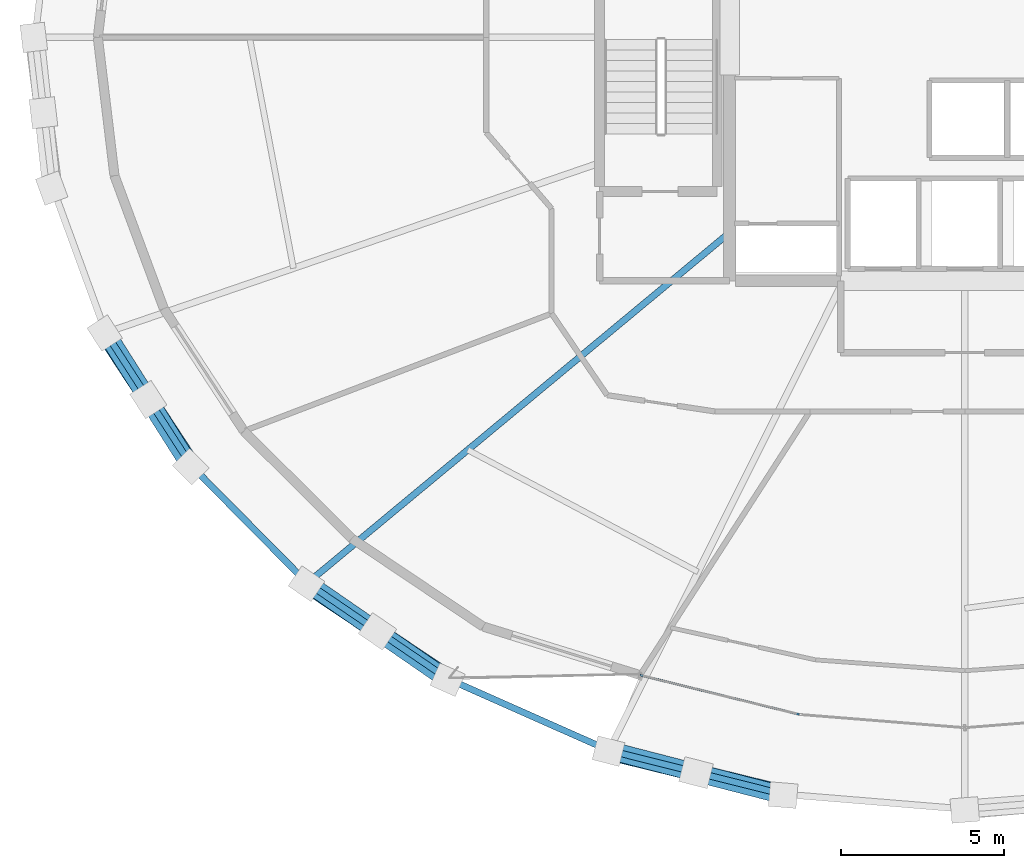
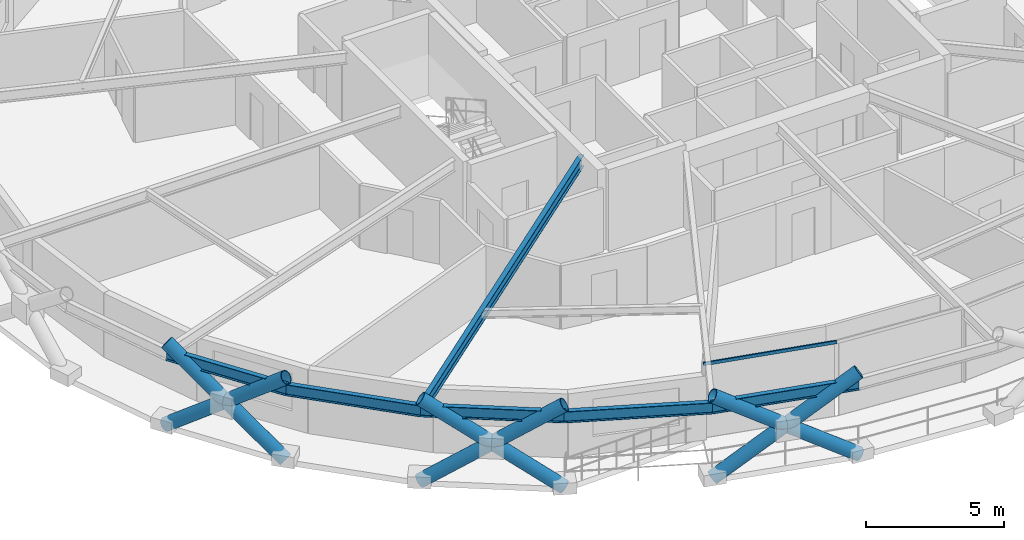
# One storey, part 1 of 21: 10 members, 6 beams, 1 element without a shape of its own.
"""IFC4 building model written with IfcOpenShell, lengths in metres."""

from ifc_helpers import new_model, si_unit, direction, frame, origin, origin_2d, place, context, subcontext, project, spatial, hollow_rectangle, hollow_circle, i_section, extrude, material, layer, layer_set, material_profile, profile_set, type_object, element, aggregate, save


model = new_model("IFC4")

# Units and contexts
model_context = context("Model", 3, precision=1e-05, world=origin(), true_north=direction((0.0, 1.0)))
body_context = subcontext(model_context, "Body", "Model", "MODEL_VIEW")
ifc_project = project(units=[si_unit("LENGTHUNIT", "METRE"), si_unit("AREAUNIT", "SQUARE_METRE"), si_unit("VOLUMEUNIT", "CUBIC_METRE"), si_unit("PLANEANGLEUNIT", "RADIAN"), si_unit("MASSUNIT", "GRAM", prefix="KILO")], contexts=[model_context])

# Site, building, storey
site_placement = place(None, origin())
site = spatial("IfcSite", under=ifc_project, at=site_placement, CompositionType="ELEMENT")
building_placement = place(site_placement, origin())
building = spatial("IfcBuilding", under=site, at=building_placement, Name="Veldorina Hangang Commons", CompositionType="ELEMENT")
storey_placement = place(building_placement, frame((0.0, 0.0, 135.199951171875)))
storey = spatial("IfcBuildingStorey", under=building, at=storey_placement, Name="L34", CompositionType="ELEMENT", Elevation=135.199951171875)

# Beams
ifc_material_1 = material(Name="Steel SM420-TMC", Category="steel")
ifc_material_profile_1 = material_profile(ifc_material_1, i_section(OverallWidth=0.199951171875, OverallDepth=0.5, WebThickness=0.010009765625, FlangeThickness=0.01611328125, FilletRadius=0.01611328125, at=origin_2d()), Name="H-500x200x10x16")
ifc_profile_set_1 = profile_set([ifc_material_profile_1], Name="Steel SM420-TMC")
beam_type_1 = type_object("IfcBeamType", Name="BM-FG500", PredefinedType="BEAM", material=ifc_profile_set_1)
beam_1_placement = place(storey_placement, frame((24.800048828125, 18.024169921875, 3.10009765625), z_axis=(-0.769484803772, -0.638665120986, 0.0), x_axis=(0.638665120986, -0.769484803772, 0.0)))
element("IfcBeam", 1, at=beam_1_placement, inside=storey, type_object=beam_type_1, Name="L34 radial floor girder 11", PredefinedType="BEAM", context=body_context, shape_type="SweptSolid", body=[
    extrude(i_section(OverallWidth=0.199951171875, OverallDepth=0.5, WebThickness=0.010009765625, FlangeThickness=0.01611328125, FilletRadius=0.01611328125, at=origin_2d()), origin(), (0.0, 0.0, 1.0), 16.7998046875),
])
ifc_material_profile_2 = material_profile(ifc_material_1, i_section(OverallWidth=0.199951171875, OverallDepth=0.5, WebThickness=0.010009765625, FlangeThickness=0.01611328125, FilletRadius=0.01611328125, at=origin_2d()), Name="H-500x200x10x16")
ifc_profile_set_2 = profile_set([ifc_material_profile_2], Name="Steel SM420-TMC")
beam_type_2 = type_object("IfcBeamType", Name="BM-RB500", PredefinedType="BEAM", material=ifc_profile_set_2)
beam_2_placement = place(storey_placement, frame((5.702392578125, 14.958984375, 3.10009765625), z_axis=(0.541455905961, -0.840729148953, 0.0), x_axis=(0.840729148953, 0.541455905961, 0.0)))
element("IfcBeam", 2, at=beam_2_placement, inside=storey, type_object=beam_type_2, Name="L34 perimeter hoop ring beam 18", PredefinedType="BEAM", context=body_context, shape_type="SweptSolid", body=[
    extrude(i_section(OverallWidth=0.199951171875, OverallDepth=0.5, WebThickness=0.010009765625, FlangeThickness=0.01611328125, FilletRadius=0.01611328125, at=origin_2d()), origin(), (0.0, 0.0, 1.0), 4.85791015625),
])
beam_3_placement = place(storey_placement, frame((8.332763671875, 10.874755859375, 3.10009765625), z_axis=(0.703119340183, -0.711071862375, 0.0), x_axis=(0.711071862375, 0.703119340183, 0.0)))
element("IfcBeam", 3, at=beam_3_placement, inside=storey, type_object=beam_type_2, Name="L34 perimeter hoop ring beam 19", PredefinedType="BEAM", context=body_context, shape_type="SweptSolid", body=[
    extrude(i_section(OverallWidth=0.199951171875, OverallDepth=0.5, WebThickness=0.010009765625, FlangeThickness=0.01611328125, FilletRadius=0.01611328125, at=origin_2d()), origin(), (0.0, 0.0, 1.0), 5.03466796875),
])
beam_4_placement = place(storey_placement, frame((11.872802734375, 7.294677734375, 3.10009765625), z_axis=(0.826459852108, -0.562995659711, 0.0), x_axis=(0.562995659711, 0.826459852108, 0.0)))
element("IfcBeam", 4, at=beam_4_placement, inside=storey, type_object=beam_type_2, Name="L34 perimeter hoop ring beam 20", PredefinedType="BEAM", context=body_context, shape_type="SweptSolid", body=[
    extrude(i_section(OverallWidth=0.199951171875, OverallDepth=0.5, WebThickness=0.010009765625, FlangeThickness=0.01611328125, FilletRadius=0.01611328125, at=origin_2d()), origin(), (0.0, 0.0, 1.0), 5.218994140625),
])
beam_5_placement = place(storey_placement, frame((16.18603515625, 4.3564453125, 3.10009765625), z_axis=(0.914091837503, -0.405507228802, 0.0), x_axis=(0.405507228802, 0.914091837503, 0.0)))
element("IfcBeam", 5, at=beam_5_placement, inside=storey, type_object=beam_type_2, Name="L34 perimeter hoop ring beam 21", PredefinedType="BEAM", context=body_context, shape_type="SweptSolid", body=[
    extrude(i_section(OverallWidth=0.199951171875, OverallDepth=0.5, WebThickness=0.010009765625, FlangeThickness=0.01611328125, FilletRadius=0.01611328125, at=origin_2d()), origin(), (0.0, 0.0, 1.0), 5.383544921875),
])
beam_6_placement = place(storey_placement, frame((21.107177734375, 2.17333984375, 3.10009765625), z_axis=(0.969744776856, -0.244121010487, 0.0), x_axis=(0.244121010487, 0.969744776856, 0.0)))
element("IfcBeam", 6, at=beam_6_placement, inside=storey, type_object=beam_type_2, Name="L34 perimeter hoop ring beam 22", PredefinedType="BEAM", context=body_context, shape_type="SweptSolid", body=[
    extrude(i_section(OverallWidth=0.199951171875, OverallDepth=0.5, WebThickness=0.010009765625, FlangeThickness=0.01611328125, FilletRadius=0.01611328125, at=origin_2d()), origin(), (0.0, 0.0, 1.0), 5.50634765625),
])

# Curtain wall, member
ifc_material_2 = material(Name="Glass Low-E Triple IGU", Category="glass")
ifc_layer = layer(ifc_material_2, 0.179931640625)
ifc_layer_set = layer_set([ifc_layer], Name="Glass Low-E Triple IGU")
curtain_wall_type = type_object("IfcCurtainWallType", Name="CW-SYS-Z2", PredefinedType="NOTDEFINED", material=ifc_layer_set)
curtain_wall_placement = place(storey_placement, origin())
curtain_wall = element("IfcCurtainWall", 7, at=curtain_wall_placement, inside=storey, type_object=curtain_wall_type, Name="L34 unitised curtain wall CW-L34-R1", PredefinedType="NOTDEFINED")
ifc_material_3 = material(Name="Aluminium Anodized AA6063-T6", Category="aluminium")
ifc_material_profile_3 = material_profile(ifc_material_3, hollow_rectangle(XDim=0.06005859375, YDim=0.139892578125, WallThickness=0.00341796875, at=origin_2d()), Name="ALU-RHS-140x60x3.5")
ifc_profile_set_3 = profile_set([ifc_material_profile_3], Name="Aluminium Anodized AA6063-T6")
member_type_1 = type_object("IfcMemberType", Name="CW-TRN-140", PredefinedType="USERDEFINED", material=ifc_profile_set_3)
member_1_placement = place(storey_placement, frame((22.057373046875, 4.4775390625, 3.27001953125), z_axis=(0.970893026024, -0.239513532016, 0.0), x_axis=(0.239513532016, 0.970893026024, 0.0)))
member_1 = element("IfcMember", 8, at=member_1_placement, type_object=member_type_1, Name="CW-L34-R1 facet 1 transom 1", ObjectType="TRANSOM", PredefinedType="USERDEFINED", context=body_context, shape_type="SweptSolid", body=[
    extrude(hollow_rectangle(XDim=0.06005859375, YDim=0.139892578125, WallThickness=0.00341796875, at=origin_2d()), origin(), (0.0, 0.0, 1.0), 5.020263671875),
])
aggregate(curtain_wall, [member_1])

# Members
ifc_material_profile_4 = material_profile(ifc_material_1, hollow_circle(Radius=0.27490234375, WallThickness=0.028076171875, at=origin_2d()), Name="CHS-550x28")
ifc_profile_set_4 = profile_set([ifc_material_profile_4], Name="Steel SM420-TMC")
member_type_2 = type_object("IfcMemberType", Name="DG-CHS550", PredefinedType="BRACE", material=ifc_profile_set_4)
member_2_placement = place(storey_placement, frame((5.668212890625, 14.94921875, 0.0), z_axis=(0.440855337186, -0.672470692662, 0.594499570383), x_axis=(0.836306551947, 0.548262119037, 0.0)))
element("IfcMember", 9, at=member_2_placement, inside=storey, type_object=member_type_2, Name="L34 continuous perimeter diagrid brace 18", PredefinedType="BRACE", context=body_context, shape_type="SweptSolid", body=[
    extrude(hollow_circle(Radius=0.27490234375, WallThickness=0.028076171875, at=origin_2d()), origin(), (0.0, 0.0, 1.0), 6.0556640625),
])
member_3_placement = place(storey_placement, frame((8.302001953125, 10.8603515625, 0.0), z_axis=(-0.429434598893, 0.678598739872, 0.595894013661), x_axis=(-0.84501298764, -0.534745781395, 0.0)))
element("IfcMember", 10, at=member_3_placement, inside=storey, type_object=member_type_2, Name="L34 split perimeter diagrid lower brace 19", PredefinedType="BRACE", context=body_context, shape_type="SweptSolid", body=[
    extrude(hollow_circle(Radius=0.27490234375, WallThickness=0.028076171875, at=origin_2d()), origin(), (0.0, 0.0, 1.0), 3.022705078125),
])
member_4_placement = place(storey_placement, frame((7.00390625, 12.91162109375, 1.80126953125), z_axis=(-0.429260022645, 0.678745171451, 0.595853023144), x_axis=(-0.845163320068, -0.534508149996, 0.0)))
element("IfcMember", 11, at=member_4_placement, inside=storey, type_object=member_type_2, Name="L34 split perimeter diagrid upper brace 19", PredefinedType="BRACE", context=body_context, shape_type="SweptSolid", body=[
    extrude(hollow_circle(Radius=0.27490234375, WallThickness=0.028076171875, at=origin_2d()), origin(), (0.0, 0.0, 1.0), 3.018798828125),
])
member_5_placement = place(storey_placement, frame((11.846435546875, 7.2763671875, 0.0), z_axis=(0.683900972288, -0.459227450334, 0.566912346808), x_axis=(0.557464976513, 0.830200457697, 0.0)))
element("IfcMember", 12, at=member_5_placement, inside=storey, type_object=member_type_2, Name="L34 continuous perimeter diagrid brace 20", PredefinedType="BRACE", context=body_context, shape_type="SweptSolid", body=[
    extrude(hollow_circle(Radius=0.27490234375, WallThickness=0.028076171875, at=origin_2d()), origin(), (0.0, 0.0, 1.0), 6.350341796875),
])
member_6_placement = place(storey_placement, frame((16.16552734375, 4.3349609375, 0.0), z_axis=(-0.677043752005, 0.467614632357, 0.568285415505), x_axis=(-0.568299377459, -0.822821862604, 0.0)))
element("IfcMember", 13, at=member_6_placement, inside=storey, type_object=member_type_2, Name="L34 split perimeter diagrid lower brace 21", PredefinedType="BRACE", context=body_context, shape_type="SweptSolid", body=[
    extrude(hollow_circle(Radius=0.27490234375, WallThickness=0.028076171875, at=origin_2d()), origin(), (0.0, 0.0, 1.0), 3.169677734375),
])
member_7_placement = place(storey_placement, frame((14.01953125, 5.817138671875, 1.80126953125), z_axis=(-0.676926586513, 0.467739610371, 0.568322138722), x_axis=(-0.568468788367, -0.822704829603, 0.0)))
element("IfcMember", 14, at=member_7_placement, inside=storey, type_object=member_type_2, Name="L34 split perimeter diagrid upper brace 21", PredefinedType="BRACE", context=body_context, shape_type="SweptSolid", body=[
    extrude(hollow_circle(Radius=0.27490234375, WallThickness=0.028076171875, at=origin_2d()), origin(), (0.0, 0.0, 1.0), 3.1650390625),
])
member_8_placement = place(storey_placement, frame((21.093017578125, 2.1494140625, 0.0), z_axis=(0.813141192022, -0.199893193552, 0.546666363525), x_axis=(0.238721048932, 0.971088183842, 0.0)))
element("IfcMember", 15, at=member_8_placement, inside=storey, type_object=member_type_2, Name="L34 continuous perimeter diagrid brace 22", PredefinedType="BRACE", context=body_context, shape_type="SweptSolid", body=[
    extrude(hollow_circle(Radius=0.27490234375, WallThickness=0.028076171875, at=origin_2d()), origin(), (0.0, 0.0, 1.0), 6.58544921875),
])
member_9_placement = place(storey_placement, frame((26.439697265625, 0.803466796875, 0.0), z_axis=(-0.810391906763, 0.208829477988, 0.547407715123), x_axis=(-0.249537517776, -0.968365131148, 0.0)))
element("IfcMember", 16, at=member_9_placement, inside=storey, type_object=member_type_2, Name="L34 split perimeter diagrid lower brace 23", PredefinedType="BRACE", context=body_context, shape_type="SweptSolid", body=[
    extrude(hollow_circle(Radius=0.27490234375, WallThickness=0.028076171875, at=origin_2d()), origin(), (0.0, 0.0, 1.0), 3.291015625),
])
member_10_placement = place(storey_placement, frame((23.772705078125, 1.49072265625, 1.801513671875), z_axis=(-0.810417075438, 0.208919400085, 0.547336138133), x_axis=(-0.249631004118, -0.968341035887, 0.0)))
element("IfcMember", 17, at=member_10_placement, inside=storey, type_object=member_type_2, Name="L34 split perimeter diagrid upper brace 23", PredefinedType="BRACE", context=body_context, shape_type="SweptSolid", body=[
    extrude(hollow_circle(Radius=0.27490234375, WallThickness=0.028076171875, at=origin_2d()), origin(), (0.0, 0.0, 1.0), 3.2861328125),
])

save(model, "model.ifc")
